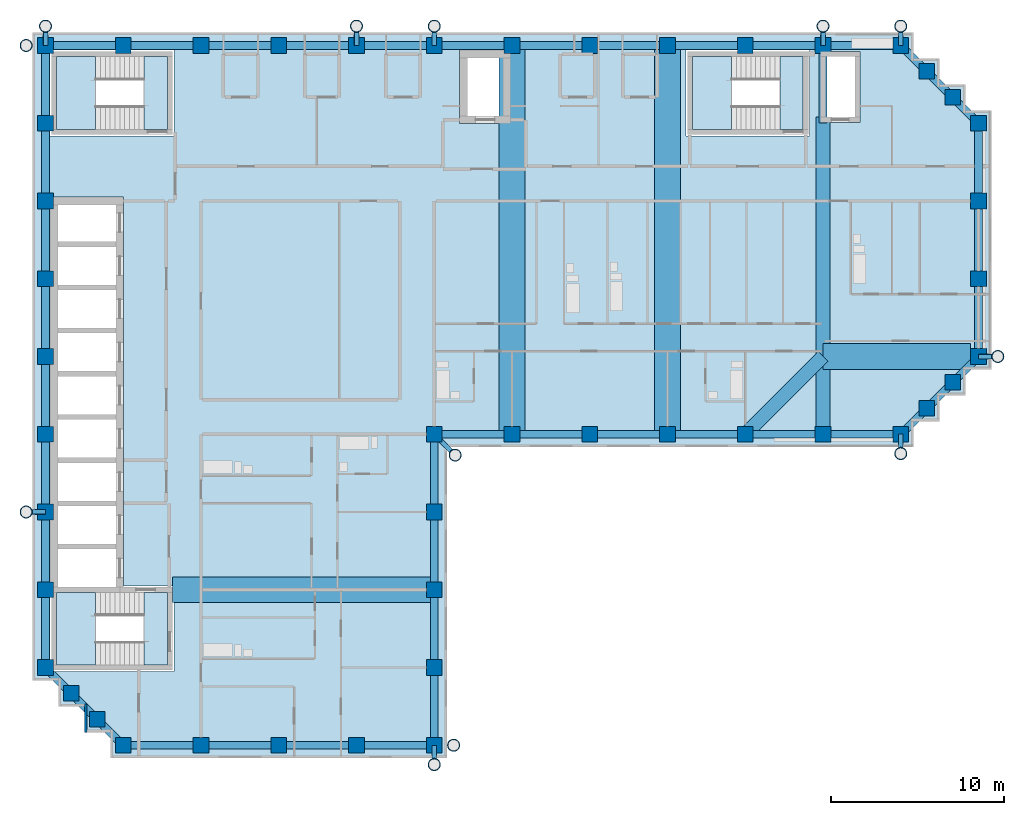
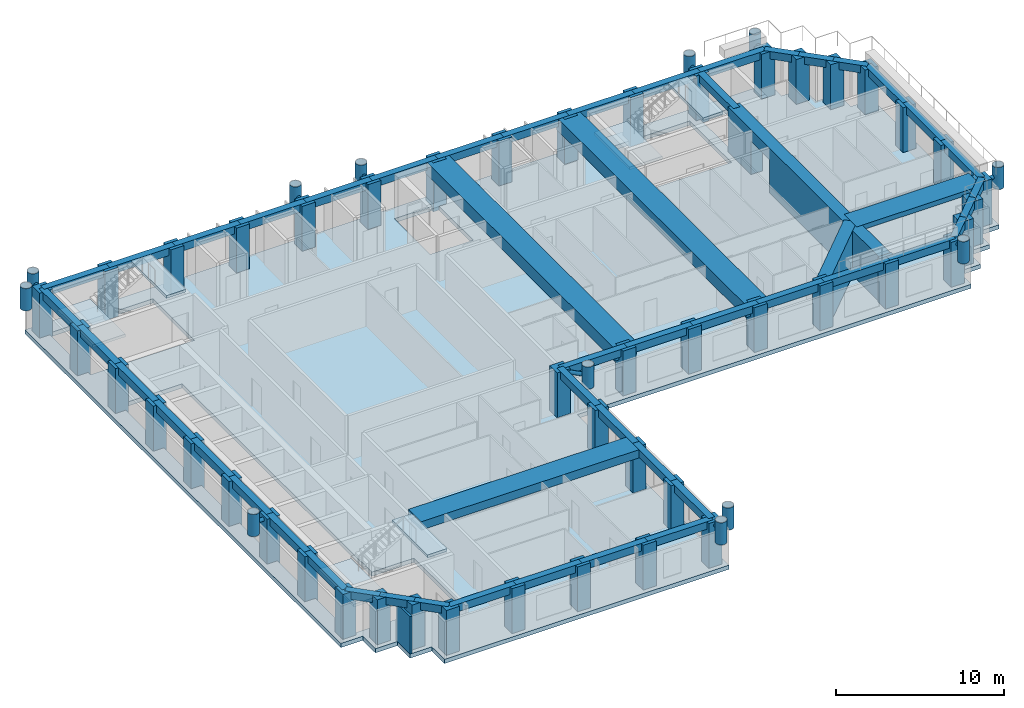
# One storey, part 1 of 9: 52 beams, 45 columns, 22 members, 7 slabs, 1 wall, 3 elements without a shape of their own.
"""IFC4 building model written with IfcOpenShell, lengths in metres."""

from ifc_helpers import new_model, entity, si_unit, direction, frame, frame_2d, origin, origin_2d, place, context, subcontext, project, spatial, polyline, rectangle, hollow_circle, outline, extrude, boolean, material, layer, layer_set, material_profile, profile_set, type_object, element, aggregate, save


model = new_model("IFC4")

# Units and contexts
model_context = context("Model", 3, precision=1e-05, world=origin(), true_north=direction((0.0, 1.0)))
body_context = subcontext(model_context, "Body", "Model", "MODEL_VIEW")
ifc_project = project(units=[si_unit("LENGTHUNIT", "METRE"), si_unit("AREAUNIT", "SQUARE_METRE"), si_unit("VOLUMEUNIT", "CUBIC_METRE"), si_unit("PLANEANGLEUNIT", "RADIAN"), si_unit("MASSUNIT", "GRAM", prefix="KILO")], contexts=[model_context])

# Site, building, storey
site_placement = place(None, origin())
site = spatial("IfcSite", under=ifc_project, at=site_placement, CompositionType="ELEMENT")
building_placement = place(site_placement, origin())
building = spatial("IfcBuilding", under=site, at=building_placement, Name="Firuza Court", CompositionType="ELEMENT")
storey_placement = place(building_placement, frame((0.0, 0.0, 229.39990234375)))
storey = spatial("IfcBuildingStorey", under=building, at=storey_placement, Name="L59", CompositionType="ELEMENT", Elevation=229.39990234375)

# Columns
ifc_material_1 = material(Name="Concrete C50/60", Category="concrete")
ifc_material_profile_1 = material_profile(ifc_material_1, rectangle(XDim=0.89990234375, YDim=0.89990234375, at=origin_2d()), Name="RC 900x900")
ifc_profile_set_1 = profile_set([ifc_material_profile_1], Name="Concrete C50/60")
column_type = type_object("IfcColumnType", Name="Tube column RC 900x900 C50/60", PredefinedType="COLUMN", material=ifc_profile_set_1)
for number, where, z_axis, x_axis, name in (
    (1, (4.5, 18.0, -0.2998046875), (0.0, 0.0, 1.0), (1.0, 0.0, 0.0), "Column C-2H L59"),
    (2, (9.0, 18.0, -0.2998046875), (0.0, 0.0, 1.0), (1.0, 0.0, 0.0), "Column C-3H L59"),
    (3, (13.5, 18.0, -0.2998046875), (0.0, 0.0, 1.0), (1.0, 0.0, 0.0), "Column C-4H L59"),
    (4, (18.0, 18.0, -0.2998046875), (0.0, 0.0, 1.0), (1.0, 0.0, 0.0), "Column C-5H L59"),
    (5, (22.5, 18.0, -0.2998046875), (0.0, 0.0, 1.0), (1.0, 0.0, 0.0), "Column C-6H L59"),
    (6, (3.0, 19.5, -0.2998046875), (0.0, 0.0, 1.0), (1.0, 0.0, 0.0), "Column C-SA1 L59"),
    (7, (1.5, 21.0, -0.2998046875), (0.0, 0.0, 1.0), (1.0, 0.0, 0.0), "Column C-SA2 L59"),
    (8, (0.0, 22.5, -0.2998046875), (0.0, 0.0, 1.0), (1.0, 0.0, 0.0), "Column C-1J L59"),
    (9, (22.5, 22.5, -0.2998046875), (0.0, 0.0, 1.0), (1.0, 0.0, 0.0), "Column C-6J L59"),
    (10, (0.0, 27.0, -0.2998046875), (0.0, 0.0, 1.0), (1.0, 0.0, 0.0), "Column C-1K L59"),
    (11, (22.5, 27.0, -0.2998046875), (0.0, 0.0, 1.0), (1.0, 0.0, 0.0), "Column C-6K L59"),
    (12, (0.0, 31.5, -0.2998046875), (0.0, 0.0, 1.0), (1.0, 0.0, 0.0), "Column C-1L L59"),
    (13, (22.5, 31.5, -0.2998046875), (0.0, 0.0, 1.0), (1.0, 0.0, 0.0), "Column C-6L L59"),
    (14, (0.0, 36.0, -0.2998046875), (0.0, 0.0, 1.0), (1.0, 0.0, 0.0), "Column C-1M L59"),
    (15, (22.5, 36.0, -0.2998046875), (0.0, 0.0, 1.0), (1.0, 0.0, 0.0), "Column C-6M L59"),
    (16, (27.0, 36.0, -0.2998046875), (0.0, 0.0, 1.0), (1.0, 0.0, 0.0), "Column C-7M L59"),
    (17, (31.5, 36.0, -0.2998046875), (0.0, 0.0, 1.0), (1.0, 0.0, 0.0), "Column C-8M L59"),
    (18, (36.0, 36.0, -0.2998046875), (0.0, 0.0, 1.0), (1.0, 0.0, 0.0), "Column C-9M L59"),
    (19, (40.5, 36.0, -0.2998046875), (0.0, 0.0, 1.0), (1.0, 0.0, 0.0), "Column C-10M L59"),
    (20, (45.0, 36.0, -0.2998046875), (0.0, 0.0, 1.0), (1.0, 0.0, 0.0), "Column C-11M L59"),
    (21, (49.5, 36.0, -0.2998046875), (0.0, 0.0, 1.0), (1.0, 0.0, 0.0), "Column C-12M L59"),
    (22, (51.0, 37.5, -0.2998046875), (0.0, 0.0, 1.0), (1.0, 0.0, 0.0), "Column C-SA3 L59"),
    (23, (52.5, 39.0, -0.2998046875), (0.0, 0.0, 1.0), (1.0, 0.0, 0.0), "Column C-SA4 L59"),
    (24, (0.0, 40.5, -0.2998046875), (0.0, 0.0, 1.0), (1.0, 0.0, 0.0), "Column C-1N L59"),
    (25, (54.0, 40.5, -0.2998046875), (0.0, 0.0, 1.0), (1.0, 0.0, 0.0), "Column C-13N L59"),
    (26, (0.0, 45.0, -0.2998046875), (0.0, 0.0, 1.0), (1.0, 0.0, 0.0), "Column C-1P L59"),
    (27, (54.0, 45.0, -0.2998046875), (0.0, 0.0, 1.0), (1.0, 0.0, 0.0), "Column C-13P L59"),
    (28, (0.0, 49.5, -0.2998046875), (0.0, 0.0, 1.0), (1.0, 0.0, 0.0), "Column C-1Q L59"),
    (29, (54.0, 49.5, -0.2998046875), (0.0, 0.0, 1.0), (1.0, 0.0, 0.0), "Column C-13Q L59"),
    (30, (0.0, 54.0, -0.2998046875), (0.0, 0.0, 1.0), (1.0, 0.0, 0.0), "Column C-1R L59"),
    (31, (54.0, 54.0, -0.2998046875), (0.0, 0.0, 1.0), (1.0, 0.0, 0.0), "Column C-13R L59"),
    (32, (52.5, 55.5, -0.2998046875), (0.0, 0.0, 1.0), (1.0, 0.0, 0.0), "Column C-SA5 L59"),
    (33, (51.0, 57.0, -0.2998046875), (0.0, 0.0, 1.0), (1.0, 0.0, 0.0), "Column C-SA6 L59"),
    (34, (0.0, 58.5, -0.2998046875), (0.0, 0.0, 1.0), (1.0, 0.0, 0.0), "Column C-1S L59"),
    (35, (4.5, 58.5, -0.2998046875), (0.0, 0.0, 1.0), (1.0, 0.0, 0.0), "Column C-2S L59"),
    (36, (9.0, 58.5, -0.2998046875), (0.0, 0.0, 1.0), (1.0, 0.0, 0.0), "Column C-3S L59"),
    (37, (13.5, 58.5, -0.2998046875), (0.0, 0.0, 1.0), (1.0, 0.0, 0.0), "Column C-4S L59"),
    (38, (18.0, 58.5, -0.2998046875), (0.0, 0.0, 1.0), (1.0, 0.0, 0.0), "Column C-5S L59"),
    (39, (22.5, 58.5, -0.2998046875), (0.0, 0.0, 1.0), (1.0, 0.0, 0.0), "Column C-6S L59"),
    (40, (27.0, 58.5, -0.2998046875), (0.0, 0.0, 1.0), (1.0, 0.0, 0.0), "Column C-7S L59"),
    (41, (31.5, 58.5, -0.2998046875), (0.0, 0.0, 1.0), (1.0, 0.0, 0.0), "Column C-8S L59"),
    (42, (36.0, 58.5, -0.2998046875), (0.0, 0.0, 1.0), (1.0, 0.0, 0.0), "Column C-9S L59"),
    (43, (40.5, 58.5, -0.2998046875), (0.0, 0.0, 1.0), (1.0, 0.0, 0.0), "Column C-10S L59"),
    (44, (45.0, 58.5, -0.2998046875), (0.0, 0.0, 1.0), (1.0, 0.0, 0.0), "Column C-11S L59"),
    (45, (49.5, 58.5, -0.2998046875), (0.0, 0.0, 1.0), (1.0, 0.0, 0.0), "Column C-12S L59"),
):
    element("IfcColumn", number, at=place(storey_placement, frame(where, z_axis=z_axis, x_axis=x_axis)), inside=storey, type_object=column_type, Name=name, PredefinedType="COLUMN", context=body_context, shape_type="SweptSolid", body=[
        extrude(rectangle(XDim=0.89990234375, YDim=0.89990234375, at=origin_2d()), origin(), (0.0, 0.0, 1.0), 3.5498046875),
    ])

# Beams
ifc_material_2 = material(Name="Concrete C40/50", Category="concrete")
ifc_material_profile_2 = material_profile(ifc_material_2, rectangle(XDim=1.5, YDim=0.35009765625, at=origin_2d()), Name="RC 1500x350")
ifc_profile_set_2 = profile_set([ifc_material_profile_2], Name="Concrete C40/50")
beam_type_1 = type_object("IfcBeamType", Name="Band beam RC 1500x350 C40/50", PredefinedType="BEAM", material=ifc_profile_set_2)
beam_1_placement = place(storey_placement, frame((45.0, 40.5, 3.0751953125), z_axis=(1.0, 0.0, 0.0), x_axis=(0.0, 1.0, 0.0)))
element("IfcBeam", 46, at=beam_1_placement, inside=storey, type_object=beam_type_1, Name="Band beam FB7 level L60", PredefinedType="BEAM", context=body_context, shape_type="SweptSolid", body=[
    extrude(rectangle(XDim=1.5, YDim=0.35009765625, at=origin_2d()), origin(), (0.0, 0.0, 1.0), 8.550048828125),
])
ifc_material_3 = material(Name="Concrete C40/50", Category="concrete")
ifc_material_profile_3 = material_profile(ifc_material_3, rectangle(XDim=1.5, YDim=0.60009765625, at=origin_2d()), Name="RC 1500x600")
ifc_profile_set_3 = profile_set([ifc_material_profile_3], Name="Concrete C40/50")
beam_type_2 = type_object("IfcBeamType", Name="Band beam RC 1500x600 C40/50", PredefinedType="BEAM", material=ifc_profile_set_3)
beam_2_placement = place(storey_placement, frame((22.5, 27.0, 2.9501953125), z_axis=(-1.0, 0.0, 0.0), x_axis=(0.0, -1.0, 0.0)))
element("IfcBeam", 47, at=beam_2_placement, inside=storey, type_object=beam_type_2, Name="Band beam FB3 level L60", PredefinedType="BEAM", context=body_context, shape_type="SweptSolid", body=[
    extrude(rectangle(XDim=1.5, YDim=0.60009765625, at=origin_2d()), origin(), (0.0, 0.0, 1.0), 15.14990234375),
])
ifc_material_4 = material(Name="Concrete C40/50", Category="concrete")
ifc_material_profile_4 = material_profile(ifc_material_4, rectangle(XDim=1.5, YDim=0.89990234375, at=origin_2d()), Name="RC 1500x900")
ifc_profile_set_4 = profile_set([ifc_material_profile_4], Name="Concrete C40/50")
beam_type_3 = type_object("IfcBeamType", Name="Band beam RC 1500x900 C40/50", PredefinedType="BEAM", material=ifc_profile_set_4)
for number, where, z_axis, x_axis, name in (
    (48, (27.0, 36.0, 2.800048828125), (0.0, 1.0, 0.0), (-1.0, 0.0, 0.0), "Band beam FB2 level L60"),
    (49, (36.0, 36.0, 2.800048828125), (0.0, 1.0, 0.0), (-1.0, 0.0, 0.0), "Band beam FB2 level L60"),
):
    element("IfcBeam", number, at=place(storey_placement, frame(where, z_axis=z_axis, x_axis=x_axis)), inside=storey, type_object=beam_type_3, Name=name, PredefinedType="BEAM", context=body_context, shape_type="SweptSolid", body=[
        extrude(rectangle(XDim=1.5, YDim=0.89990234375, at=origin_2d()), origin(), (0.0, 0.0, 1.0), 22.5),
    ])

# Members
ifc_material_5 = material(Name="Steel S355", Category="steel")
ifc_material_profile_5 = material_profile(ifc_material_5, hollow_circle(Radius=0.35546875, WallThickness=0.030029296875, at=origin_2d()), Name="CHS 711x30")
ifc_profile_set_5 = profile_set([ifc_material_profile_5], Name="Steel S355")
member_type_1 = type_object("IfcMemberType", Name="Diagrid node CHS 711x30 S355", PredefinedType="USERDEFINED", material=ifc_profile_set_5)
for number, where, z_axis, x_axis, name in (
    (50, (-1.1201171875, 31.5, 2.2001953125), (0.0, 0.0, 1.0), (1.0, 0.0, 0.0), "Diagrid node level L59"),
    (51, (-1.1201171875, 58.5, 2.2001953125), (0.0, 0.0, 1.0), (1.0, 0.0, 0.0), "Diagrid node level L59"),
    (52, (0.0, 59.6201171875, 2.2001953125), (0.0, 0.0, 1.0), (1.0, 0.0, 0.0), "Diagrid node level L59"),
    (53, (18.0, 59.6201171875, 2.2001953125), (0.0, 0.0, 1.0), (1.0, 0.0, 0.0), "Diagrid node level L59"),
    (54, (22.5, 16.8798828125, 2.2001953125), (0.0, 0.0, 1.0), (1.0, 0.0, 0.0), "Diagrid node level L59"),
    (55, (22.5, 59.6201171875, 2.2001953125), (0.0, 0.0, 1.0), (1.0, 0.0, 0.0), "Diagrid node level L59"),
    (56, (23.6201171875, 18.0, 2.2001953125), (0.0, 0.0, 1.0), (1.0, 0.0, 0.0), "Diagrid node level L59"),
    (57, (23.7099609375, 34.7900390625, 2.2001953125), (0.0, 0.0, 1.0), (1.0, 0.0, 0.0), "Diagrid node level L59"),
    (58, (45.0, 59.6201171875, 2.2001953125), (0.0, 0.0, 1.0), (1.0, 0.0, 0.0), "Diagrid node level L59"),
    (59, (49.5, 34.8798828125, 2.2001953125), (0.0, 0.0, 1.0), (1.0, 0.0, 0.0), "Diagrid node level L59"),
    (60, (49.5, 59.6201171875, 2.2001953125), (0.0, 0.0, 1.0), (1.0, 0.0, 0.0), "Diagrid node level L59"),
    (61, (55.1201171875, 40.5, 2.2001953125), (0.0, 0.0, 1.0), (1.0, 0.0, 0.0), "Diagrid node level L59"),
):
    element("IfcMember", number, at=place(storey_placement, frame(where, z_axis=z_axis, x_axis=x_axis)), inside=storey, type_object=member_type_1, Name=name, ObjectType="DIAGRID NODE", PredefinedType="USERDEFINED", context=body_context, shape_type="SweptSolid", body=[
        extrude(hollow_circle(Radius=0.35546875, WallThickness=0.030029296875, at=origin_2d()), origin(), (0.0, 0.0, 1.0), 1.599853515625),
    ])
ifc_material_6 = material(Name="Steel S355", Category="steel")
ifc_material_profile_6 = material_profile(ifc_material_6, hollow_circle(Radius=0.136474609375, WallThickness=0.012451171875, at=origin_2d()), Name="CHS 273x12.5")
ifc_profile_set_6 = profile_set([ifc_material_profile_6], Name="Steel S355")
member_type_2 = type_object("IfcMemberType", Name="Diagrid tie CHS 273x12.5 S355", PredefinedType="STRUT", material=ifc_profile_set_6)
for number, where, z_axis, x_axis, name in (
    (62, (0.0, 31.5, 3.0), (-1.0, 0.0, 0.0), (0.0, -1.0, 0.0), "Diagrid tie level L60"),
    (63, (0.0, 58.5, 3.0), (0.0, 1.0, 0.0), (-1.0, 0.0, 0.0), "Diagrid tie level L60"),
    (64, (22.5, 18.0, 3.0), (0.0, -1.0, 0.0), (1.0, 0.0, 0.0), "Diagrid tie level L60"),
):
    element("IfcMember", number, at=place(storey_placement, frame(where, z_axis=z_axis, x_axis=x_axis)), inside=storey, type_object=member_type_2, Name=name, PredefinedType="STRUT", context=body_context, shape_type="SweptSolid", body=[
        extrude(hollow_circle(Radius=0.136474609375, WallThickness=0.012451171875, at=origin_2d()), origin(), (0.0, 0.0, 1.0), 1.1201171875),
    ])
member_placement = place(storey_placement, frame((22.5, 36.0, 3.0), z_axis=(0.707106781187, -0.707106781187, 0.0), x_axis=(0.707106781187, 0.707106781187, 0.0)))
element("IfcMember", 65, at=member_placement, inside=storey, type_object=member_type_2, Name="Diagrid tie level L60", PredefinedType="STRUT", context=body_context, shape_type="SweptSolid", body=[
    extrude(hollow_circle(Radius=0.136474609375, WallThickness=0.012451171875, at=origin_2d()), origin(), (0.0, 0.0, 1.0), 1.711181640625),
])
for number, where, z_axis, x_axis, name in (
    (66, (22.5, 58.5, 3.0), (0.0, 1.0, 0.0), (-1.0, 0.0, 0.0), "Diagrid tie level L60"),
    (67, (49.5, 36.0, 3.0), (0.0, -1.0, 0.0), (1.0, 0.0, 0.0), "Diagrid tie level L60"),
    (68, (49.5, 58.5, 3.0), (0.0, 1.0, 0.0), (-1.0, 0.0, 0.0), "Diagrid tie level L60"),
    (69, (54.0, 40.5, 3.0), (1.0, 0.0, 0.0), (0.0, 1.0, 0.0), "Diagrid tie level L60"),
    (70, (18.0, 58.5, 3.0), (0.0, 1.0, 0.0), (-1.0, 0.0, 0.0), "Diagrid tie level L60"),
    (71, (45.0, 58.5, 3.0), (0.0, 1.0, 0.0), (-1.0, 0.0, 0.0), "Diagrid tie level L60"),
):
    element("IfcMember", number, at=place(storey_placement, frame(where, z_axis=z_axis, x_axis=x_axis)), inside=storey, type_object=member_type_2, Name=name, PredefinedType="STRUT", context=body_context, shape_type="SweptSolid", body=[
        extrude(hollow_circle(Radius=0.136474609375, WallThickness=0.012451171875, at=origin_2d()), origin(), (0.0, 0.0, 1.0), 1.1201171875),
    ])

# Beams
ifc_material_7 = material(Name="Concrete C40/50", Category="concrete")
ifc_material_profile_7 = material_profile(ifc_material_7, rectangle(XDim=0.449951171875, YDim=0.550048828125, at=origin_2d()), Name="RC 450x550")
ifc_profile_set_7 = profile_set([ifc_material_profile_7], Name="Concrete C40/50")
beam_type_4 = type_object("IfcBeamType", Name="Spandrel beam RC 450x550 C40/50", PredefinedType="BEAM", material=ifc_profile_set_7)
beam_3_placement = place(storey_placement, frame((0.0, 22.5, 2.97509765625), z_axis=(0.707106781187, -0.707106781187, 0.0), x_axis=(0.707106781187, 0.707106781187, 0.0)))
element("IfcBeam", 72, at=beam_3_placement, inside=storey, type_object=beam_type_4, Name="Spandrel beam SP16 level L60", PredefinedType="BEAM", context=body_context, shape_type="SweptSolid", body=[
    extrude(rectangle(XDim=0.449951171875, YDim=0.550048828125, at=origin_2d()), origin(), (0.0, 0.0, 1.0), 2.121337890625),
])
for number, where, z_axis, x_axis, name in (
    (73, (0.0, 27.0, 2.97509765625), (0.0, -1.0, 0.0), (1.0, 0.0, 0.0), "Spandrel beam SP16 level L60"),
    (74, (0.0, 31.5, 2.97509765625), (0.0, -1.0, 0.0), (1.0, 0.0, 0.0), "Spandrel beam SP16 level L60"),
    (75, (0.0, 36.0, 2.97509765625), (0.0, -1.0, 0.0), (1.0, 0.0, 0.0), "Spandrel beam SP16 level L60"),
    (76, (0.0, 40.5, 2.97509765625), (0.0, -1.0, 0.0), (1.0, 0.0, 0.0), "Spandrel beam SP16 level L60"),
    (77, (0.0, 45.0, 2.97509765625), (0.0, -1.0, 0.0), (1.0, 0.0, 0.0), "Spandrel beam SP16 level L60"),
    (78, (0.0, 49.5, 2.97509765625), (0.0, -1.0, 0.0), (1.0, 0.0, 0.0), "Spandrel beam SP16 level L60"),
    (79, (0.0, 54.0, 2.97509765625), (0.0, -1.0, 0.0), (1.0, 0.0, 0.0), "Spandrel beam SP16 level L60"),
    (80, (0.0, 58.5, 2.97509765625), (0.0, -1.0, 0.0), (1.0, 0.0, 0.0), "Spandrel beam SP16 level L60"),
):
    element("IfcBeam", number, at=place(storey_placement, frame(where, z_axis=z_axis, x_axis=x_axis)), inside=storey, type_object=beam_type_4, Name=name, PredefinedType="BEAM", context=body_context, shape_type="SweptSolid", body=[
        extrude(rectangle(XDim=0.449951171875, YDim=0.550048828125, at=origin_2d()), origin(), (0.0, 0.0, 1.0), 4.5),
    ])
for number, where, z_axis, x_axis, name in (
    (81, (1.5, 21.0, 2.97509765625), (0.707106781187, -0.707106781187, 0.0), (0.707106781187, 0.707106781187, 0.0), "Spandrel beam SP16 level L60"),
    (82, (3.0, 19.5, 2.97509765625), (0.707106781187, -0.707106781187, 0.0), (0.707106781187, 0.707106781187, 0.0), "Spandrel beam SP16 level L60"),
):
    element("IfcBeam", number, at=place(storey_placement, frame(where, z_axis=z_axis, x_axis=x_axis)), inside=storey, type_object=beam_type_4, Name=name, PredefinedType="BEAM", context=body_context, shape_type="SweptSolid", body=[
        extrude(rectangle(XDim=0.449951171875, YDim=0.550048828125, at=origin_2d()), origin(), (0.0, 0.0, 1.0), 2.121337890625),
    ])
for number, where, z_axis, x_axis, name in (
    (83, (4.5, 18.0, 2.97509765625), (1.0, 0.0, 0.0), (0.0, 1.0, 0.0), "Spandrel beam SP16 level L60"),
    (84, (4.5, 58.5, 2.97509765625), (-1.0, 0.0, 0.0), (0.0, -1.0, 0.0), "Spandrel beam SP16 level L60"),
    (85, (9.0, 18.0, 2.97509765625), (1.0, 0.0, 0.0), (0.0, 1.0, 0.0), "Spandrel beam SP16 level L60"),
    (86, (9.0, 58.5, 2.97509765625), (-1.0, 0.0, 0.0), (0.0, -1.0, 0.0), "Spandrel beam SP16 level L60"),
    (87, (13.5, 18.0, 2.97509765625), (1.0, 0.0, 0.0), (0.0, 1.0, 0.0), "Spandrel beam SP16 level L60"),
    (88, (13.5, 58.5, 2.97509765625), (-1.0, 0.0, 0.0), (0.0, -1.0, 0.0), "Spandrel beam SP16 level L60"),
    (89, (18.0, 18.0, 2.97509765625), (1.0, 0.0, 0.0), (0.0, 1.0, 0.0), "Spandrel beam SP16 level L60"),
    (90, (18.0, 58.5, 2.97509765625), (-1.0, 0.0, 0.0), (0.0, -1.0, 0.0), "Spandrel beam SP16 level L60"),
    (91, (22.5, 18.0, 2.97509765625), (0.0, 1.0, 0.0), (-1.0, 0.0, 0.0), "Spandrel beam SP16 level L60"),
    (92, (22.5, 22.5, 2.97509765625), (0.0, 1.0, 0.0), (-1.0, 0.0, 0.0), "Spandrel beam SP16 level L60"),
    (93, (22.5, 27.0, 2.97509765625), (0.0, 1.0, 0.0), (-1.0, 0.0, 0.0), "Spandrel beam SP16 level L60"),
    (94, (22.5, 31.5, 2.97509765625), (0.0, 1.0, 0.0), (-1.0, 0.0, 0.0), "Spandrel beam SP16 level L60"),
    (95, (22.5, 36.0, 2.97509765625), (1.0, 0.0, 0.0), (0.0, 1.0, 0.0), "Spandrel beam SP16 level L60"),
    (96, (22.5, 58.5, 2.97509765625), (-1.0, 0.0, 0.0), (0.0, -1.0, 0.0), "Spandrel beam SP16 level L60"),
    (97, (27.0, 36.0, 2.97509765625), (1.0, 0.0, 0.0), (0.0, 1.0, 0.0), "Spandrel beam SP16 level L60"),
    (98, (27.0, 58.5, 2.97509765625), (-1.0, 0.0, 0.0), (0.0, -1.0, 0.0), "Spandrel beam SP16 level L60"),
    (99, (31.5, 36.0, 2.97509765625), (1.0, 0.0, 0.0), (0.0, 1.0, 0.0), "Spandrel beam SP16 level L60"),
    (100, (31.5, 58.5, 2.97509765625), (-1.0, 0.0, 0.0), (0.0, -1.0, 0.0), "Spandrel beam SP16 level L60"),
    (101, (36.0, 36.0, 2.97509765625), (1.0, 0.0, 0.0), (0.0, 1.0, 0.0), "Spandrel beam SP16 level L60"),
    (102, (36.0, 58.5, 2.97509765625), (-1.0, 0.0, 0.0), (0.0, -1.0, 0.0), "Spandrel beam SP16 level L60"),
    (103, (40.5, 36.0, 2.97509765625), (1.0, 0.0, 0.0), (0.0, 1.0, 0.0), "Spandrel beam SP16 level L60"),
    (104, (40.5, 58.5, 2.97509765625), (-1.0, 0.0, 0.0), (0.0, -1.0, 0.0), "Spandrel beam SP16 level L60"),
    (105, (45.0, 36.0, 2.97509765625), (1.0, 0.0, 0.0), (0.0, 1.0, 0.0), "Spandrel beam SP16 level L60"),
    (106, (45.0, 54.0, 2.97509765625), (0.0, 1.0, 0.0), (-1.0, 0.0, 0.0), "Spandrel beam SP16 level L60"),
    (107, (45.0, 58.5, 2.97509765625), (-1.0, 0.0, 0.0), (0.0, -1.0, 0.0), "Spandrel beam SP16 level L60"),
):
    element("IfcBeam", number, at=place(storey_placement, frame(where, z_axis=z_axis, x_axis=x_axis)), inside=storey, type_object=beam_type_4, Name=name, PredefinedType="BEAM", context=body_context, shape_type="SweptSolid", body=[
        extrude(rectangle(XDim=0.449951171875, YDim=0.550048828125, at=origin_2d()), origin(), (0.0, 0.0, 1.0), 4.5),
    ])
beam_4_placement = place(storey_placement, frame((49.5, 36.0, 2.97509765625), z_axis=(0.707106781187, 0.707106781187, 0.0), x_axis=(-0.707106781187, 0.707106781187, 0.0)))
element("IfcBeam", 108, at=beam_4_placement, inside=storey, type_object=beam_type_4, Name="Spandrel beam SP16 level L60", PredefinedType="BEAM", context=body_context, shape_type="SweptSolid", body=[
    extrude(rectangle(XDim=0.449951171875, YDim=0.550048828125, at=origin_2d()), origin(), (0.0, 0.0, 1.0), 2.121337890625),
])
beam_5_placement = place(storey_placement, frame((49.5, 58.5, 2.97509765625), z_axis=(-1.0, 0.0, 0.0), x_axis=(0.0, -1.0, 0.0)))
element("IfcBeam", 109, at=beam_5_placement, inside=storey, type_object=beam_type_4, Name="Spandrel beam SP16 level L60", PredefinedType="BEAM", context=body_context, shape_type="SweptSolid", body=[
    extrude(rectangle(XDim=0.449951171875, YDim=0.550048828125, at=origin_2d()), origin(), (0.0, 0.0, 1.0), 4.5),
])
for number, where, z_axis, x_axis, name in (
    (110, (51.0, 37.5, 2.97509765625), (0.707106781187, 0.707106781187, 0.0), (-0.707106781187, 0.707106781187, 0.0), "Spandrel beam SP16 level L60"),
    (111, (51.0, 57.0, 2.97509765625), (-0.707106781187, 0.707106781187, 0.0), (-0.707106781187, -0.707106781187, 0.0), "Spandrel beam SP16 level L60"),
    (112, (52.5, 39.0, 2.97509765625), (0.707106781187, 0.707106781187, 0.0), (-0.707106781187, 0.707106781187, 0.0), "Spandrel beam SP16 level L60"),
    (113, (52.5, 55.5, 2.97509765625), (-0.707106781187, 0.707106781187, 0.0), (-0.707106781187, -0.707106781187, 0.0), "Spandrel beam SP16 level L60"),
):
    element("IfcBeam", number, at=place(storey_placement, frame(where, z_axis=z_axis, x_axis=x_axis)), inside=storey, type_object=beam_type_4, Name=name, PredefinedType="BEAM", context=body_context, shape_type="SweptSolid", body=[
        extrude(rectangle(XDim=0.449951171875, YDim=0.550048828125, at=origin_2d()), origin(), (0.0, 0.0, 1.0), 2.121337890625),
    ])
for number, where, z_axis, x_axis, name in (
    (114, (54.0, 40.5, 2.97509765625), (0.0, 1.0, 0.0), (-1.0, 0.0, 0.0), "Spandrel beam SP16 level L60"),
    (115, (54.0, 45.0, 2.97509765625), (0.0, 1.0, 0.0), (-1.0, 0.0, 0.0), "Spandrel beam SP16 level L60"),
    (116, (54.0, 49.5, 2.97509765625), (0.0, 1.0, 0.0), (-1.0, 0.0, 0.0), "Spandrel beam SP16 level L60"),
):
    element("IfcBeam", number, at=place(storey_placement, frame(where, z_axis=z_axis, x_axis=x_axis)), inside=storey, type_object=beam_type_4, Name=name, PredefinedType="BEAM", context=body_context, shape_type="SweptSolid", body=[
        extrude(rectangle(XDim=0.449951171875, YDim=0.550048828125, at=origin_2d()), origin(), (0.0, 0.0, 1.0), 4.5),
    ])
beam_6_placement = place(storey_placement, frame((54.0, 54.0, 2.97509765625), z_axis=(-0.707106781187, 0.707106781187, 0.0), x_axis=(-0.707106781187, -0.707106781187, 0.0)))
element("IfcBeam", 117, at=beam_6_placement, inside=storey, type_object=beam_type_4, Name="Spandrel beam SP16 level L60", PredefinedType="BEAM", context=body_context, shape_type="SweptSolid", body=[
    extrude(rectangle(XDim=0.449951171875, YDim=0.550048828125, at=origin_2d()), origin(), (0.0, 0.0, 1.0), 2.121337890625),
])
ifc_material_8 = material(Name="Concrete C60/75", Category="concrete")
ifc_material_profile_8 = material_profile(ifc_material_8, rectangle(XDim=0.800048828125, YDim=3.25, at=origin_2d()), Name="RC 800x3250")
ifc_profile_set_8 = profile_set([ifc_material_profile_8], Name="Concrete C60/75")
beam_type_5 = type_object("IfcBeamType", Name="Transfer girder RC 800x3250 C60/75", PredefinedType="USERDEFINED", material=ifc_profile_set_8)
beam_7_placement = place(storey_placement, frame((40.5, 36.0, 1.625), z_axis=(0.707106781187, 0.707106781187, 0.0), x_axis=(-0.707106781187, 0.707106781187, 0.0)))
element("IfcBeam", 118, at=beam_7_placement, inside=storey, type_object=beam_type_5, Name="Transfer girder TG4 level L60", ObjectType="TRANSFER GIRDER", PredefinedType="USERDEFINED", context=body_context, shape_type="SweptSolid", body=[
    extrude(rectangle(XDim=0.800048828125, YDim=3.25, at=origin_2d()), origin(), (0.0, 0.0, 1.0), 6.364013671875),
])
ifc_material_9 = material(Name="Concrete C70/85", Category="concrete")
ifc_material_profile_9 = material_profile(ifc_material_9, rectangle(XDim=0.800048828125, YDim=3.25, at=origin_2d()), Name="RC 800x3250")
ifc_profile_set_9 = profile_set([ifc_material_profile_9], Name="Concrete C70/85")
beam_type_6 = type_object("IfcBeamType", Name="Transfer girder RC 800x3250 C70/85", PredefinedType="USERDEFINED", material=ifc_profile_set_9)
beam_8_placement = place(storey_placement, frame((45.0, 36.0, 1.625), z_axis=(0.0, 1.0, 0.0), x_axis=(-1.0, 0.0, 0.0)))
element("IfcBeam", 119, at=beam_8_placement, inside=storey, type_object=beam_type_6, Name="Transfer girder TG5 level L60", ObjectType="TRANSFER GIRDER", PredefinedType="USERDEFINED", context=body_context, shape_type="Clipping", body=[
    boolean("DIFFERENCE", extrude(rectangle(XDim=0.800048828125, YDim=3.25, at=origin_2d()), origin(), (0.0, 0.0, 1.0), 18.35009765625), entity("IfcBlock", entity("IfcAxis2Placement3D", entity("IfcCartesianPoint", [-0.4100244140625, -1.635, 13.4])), 0.820048828125, 2.4099999999999997, 2.2)),
])

# Slab
ifc_material_10 = material(Name="Concrete C40/50", Category="concrete")
ifc_layer_1 = layer(ifc_material_10, 0.300048828125)
ifc_layer_set_1 = layer_set([ifc_layer_1], Name="Concrete C40/50")
slab_type_1 = type_object("IfcSlabType", Name="Floor slab 300 C40/50", PredefinedType="FLOOR", material=ifc_layer_set_1)
slab_1_placement = place(storey_placement, frame((0.0, 0.0, -0.2998046875)))
element("IfcSlab", 120, at=slab_1_placement, inside=storey, type_object=slab_type_1, Name="Floor slab L59", PredefinedType="FLOOR", context=body_context, shape_type="SweptSolid", body=[
    extrude(outline(polyline([(-0.75, 59.25), (50.25, 59.25), (50.25, 57.75), (51.75, 57.75), (51.75, 56.25), (53.25, 56.25), (53.25, 54.75), (54.75, 54.75), (54.75, 39.75), (53.25, 39.75), (53.25, 38.25), (51.75, 38.25), (51.75, 36.75), (50.25, 36.75), (50.25, 35.25), (23.25, 35.25), (23.25, 17.25), (3.75, 17.25), (3.75, 18.75), (2.25, 18.75), (2.25, 20.25), (0.75, 20.25), (0.75, 21.75), (-0.75, 21.75), (-0.75, 59.25)]), holes=[polyline([(0.27490234375, 34.27490234375), (0.27490234375, 32.22509765625), (0.27490234375, 31.77490234375), (0.27490234375, 29.72509765625), (0.27490234375, 29.27490234375), (0.27490234375, 27.22509765625), (0.27490234375, 26.77490234375), (0.27490234375, 22.27490234375), (7.425048828125, 22.27490234375), (7.425048828125, 27.22509765625), (4.52490234375, 27.22509765625), (4.52490234375, 29.27490234375), (4.52490234375, 29.72509765625), (4.52490234375, 31.77490234375), (4.52490234375, 32.22509765625), (4.52490234375, 34.27490234375), (4.52490234375, 34.72509765625), (4.52490234375, 36.77490234375), (4.52490234375, 37.22509765625), (4.52490234375, 39.27490234375), (4.52490234375, 39.72509765625), (4.52490234375, 41.77490234375), (4.52490234375, 42.22509765625), (4.52490234375, 44.27490234375), (4.52490234375, 44.72509765625), (4.52490234375, 46.77490234375), (4.52490234375, 47.22509765625), (4.52490234375, 49.72509765625), (0.27490234375, 49.72509765625), (0.27490234375, 47.22509765625), (0.27490234375, 46.77490234375), (0.27490234375, 44.72509765625), (0.27490234375, 44.27490234375), (0.27490234375, 42.22509765625), (0.27490234375, 41.77490234375), (0.27490234375, 39.72509765625), (0.27490234375, 39.27490234375), (0.27490234375, 37.22509765625), (0.27490234375, 36.77490234375), (0.27490234375, 34.72509765625), (0.27490234375, 34.27490234375)]), polyline([(7.425048828125, 58.22509765625), (0.27490234375, 58.22509765625), (0.27490234375, 53.27490234375), (7.425048828125, 53.27490234375), (7.425048828125, 58.22509765625)]), polyline([(44.22509765625, 58.22509765625), (37.074951171875, 58.22509765625), (37.074951171875, 53.27490234375), (44.22509765625, 53.27490234375), (44.22509765625, 58.22509765625)]), polyline([(26.925048828125, 58.22509765625), (23.97509765625, 58.22509765625), (23.97509765625, 53.97509765625), (26.925048828125, 53.97509765625), (26.925048828125, 58.22509765625)]), polyline([(47.14990234375, 58.14990234375), (44.85009765625, 58.14990234375), (44.85009765625, 54.050048828125), (47.14990234375, 54.050048828125), (47.14990234375, 58.14990234375)])]), origin(), (0.0, 0.0, 1.0), 0.2998046875),
])

# Stair, slabs
ifc_material_11 = material(Name="Concrete C40/50 precast", Category="concrete")
stair_type = type_object("IfcStairType", Name="Stair 1350 x 3600 2 flights", PredefinedType="HALF_TURN_STAIR", material=ifc_material_11)
stair_1_placement = place(storey_placement, origin())
stair_1 = element("IfcStair", 121, at=stair_1_placement, inside=storey, type_object=stair_type, Name="Stair 1 L59", PredefinedType="HALF_TURN_STAIR")
ifc_material_12 = material(Name="Concrete C40/50 precast", Category="concrete")
ifc_layer_2 = layer(ifc_material_12, 0.199951171875)
ifc_layer_set_2 = layer_set([ifc_layer_2], Name="Concrete C40/50 precast")
slab_type_2 = type_object("IfcSlabType", Name="Stair landing 200", PredefinedType="LANDING", material=ifc_layer_set_2)
slab_2_placement = place(storey_placement, frame((0.0, 0.0, 1.60009765625)))
slab_2 = element("IfcSlab", 122, at=slab_2_placement, type_object=slab_type_2, Name="S1 landing 1", PredefinedType="LANDING", context=body_context, shape_type="SweptSolid", body=[
    extrude(outline(polyline([(39.699951171875, 53.64990234375), (39.699951171875, 57.85009765625), (37.449951171875, 57.85009765625), (37.449951171875, 53.64990234375), (39.699951171875, 53.64990234375)])), origin(), (0.0, 0.0, 1.0), 0.199951171875),
])
slab_3_placement = place(storey_placement, frame((0.0, 0.0, 3.400146484375)))
slab_3 = element("IfcSlab", 123, at=slab_3_placement, type_object=slab_type_2, Name="S1 landing 2", PredefinedType="LANDING", context=body_context, shape_type="SweptSolid", body=[
    extrude(outline(polyline([(43.85009765625, 53.64990234375), (43.85009765625, 57.85009765625), (42.5, 57.85009765625), (42.5, 53.64990234375), (43.85009765625, 53.64990234375)])), origin(), (0.0, 0.0, 1.0), 0.199951171875),
])
aggregate(stair_1, [slab_2, slab_3])

stair_2_placement = place(storey_placement, origin())
stair_2 = element("IfcStair", 124, at=stair_2_placement, inside=storey, type_object=stair_type, Name="Stair 2 L59", PredefinedType="HALF_TURN_STAIR")
slab_4_placement = place(storey_placement, frame((0.0, 0.0, 1.60009765625)))
slab_4 = element("IfcSlab", 125, at=slab_4_placement, type_object=slab_type_2, Name="S2 landing 1", PredefinedType="LANDING", context=body_context, shape_type="SweptSolid", body=[
    extrude(outline(polyline([(2.89990234375, 22.64990234375), (2.89990234375, 26.85009765625), (0.64990234375, 26.85009765625), (0.64990234375, 22.64990234375), (2.89990234375, 22.64990234375)])), origin(), (0.0, 0.0, 1.0), 0.199951171875),
])
slab_5_placement = place(storey_placement, frame((0.0, 0.0, 3.400146484375)))
slab_5 = element("IfcSlab", 126, at=slab_5_placement, type_object=slab_type_2, Name="S2 landing 2", PredefinedType="LANDING", context=body_context, shape_type="SweptSolid", body=[
    extrude(outline(polyline([(7.050048828125, 22.64990234375), (7.050048828125, 26.85009765625), (5.699951171875, 26.85009765625), (5.699951171875, 22.64990234375), (7.050048828125, 22.64990234375)])), origin(), (0.0, 0.0, 1.0), 0.199951171875),
])
aggregate(stair_2, [slab_4, slab_5])

stair_3_placement = place(storey_placement, origin())
stair_3 = element("IfcStair", 127, at=stair_3_placement, inside=storey, type_object=stair_type, Name="Stair 3 L59", PredefinedType="HALF_TURN_STAIR")
slab_6_placement = place(storey_placement, frame((0.0, 0.0, 1.60009765625)))
slab_6 = element("IfcSlab", 128, at=slab_6_placement, type_object=slab_type_2, Name="S3 landing 1", PredefinedType="LANDING", context=body_context, shape_type="SweptSolid", body=[
    extrude(outline(polyline([(2.89990234375, 53.64990234375), (2.89990234375, 57.85009765625), (0.64990234375, 57.85009765625), (0.64990234375, 53.64990234375), (2.89990234375, 53.64990234375)])), origin(), (0.0, 0.0, 1.0), 0.199951171875),
])
slab_7_placement = place(storey_placement, frame((0.0, 0.0, 3.400146484375)))
slab_7 = element("IfcSlab", 129, at=slab_7_placement, type_object=slab_type_2, Name="S3 landing 2", PredefinedType="LANDING", context=body_context, shape_type="SweptSolid", body=[
    extrude(outline(polyline([(7.050048828125, 53.64990234375), (7.050048828125, 57.85009765625), (5.699951171875, 57.85009765625), (5.699951171875, 53.64990234375), (7.050048828125, 53.64990234375)])), origin(), (0.0, 0.0, 1.0), 0.199951171875),
])
aggregate(stair_3, [slab_6, slab_7])

# Wall
ifc_material_13 = material(Name="Ceramic tile", Category="ceramic")
ifc_layer_3 = layer(ifc_material_13, 0.02001953125)
ifc_material_14 = material(Name="Mineral wool insulation", Category="insulation")
ifc_layer_4 = layer(ifc_material_14, 0.050048828125)
ifc_layer_5 = layer(ifc_material_12, 0.080078125)
ifc_layer_set_3 = layer_set([ifc_layer_3, ifc_layer_4, ifc_layer_5], Name="Concrete C40/50 precast")
wall_type = type_object("IfcWallType", Name="Precast cladding wall with turquoise TILE PANEL face 150", PredefinedType="STANDARD", material=ifc_layer_set_3)
wall_placement = place(storey_placement, frame((2.324951171875, 20.39990234375, 0.0), z_axis=(0.0, 0.0, 1.0), x_axis=(0.0, -1.0, 0.0)))
element("IfcWall", 130, at=wall_placement, inside=storey, type_object=wall_type, Name="Facade wall L59 W", PredefinedType="STANDARD", context=body_context, shape_type="SweptSolid", body=[
    extrude(rectangle(XDim=1.64990234375, YDim=0.14990234375, at=frame_2d((0.824951171875, 0.0))), origin(), (0.0, 0.0, 1.0), 2.7001953125),
])

save(model, "model.ifc")
